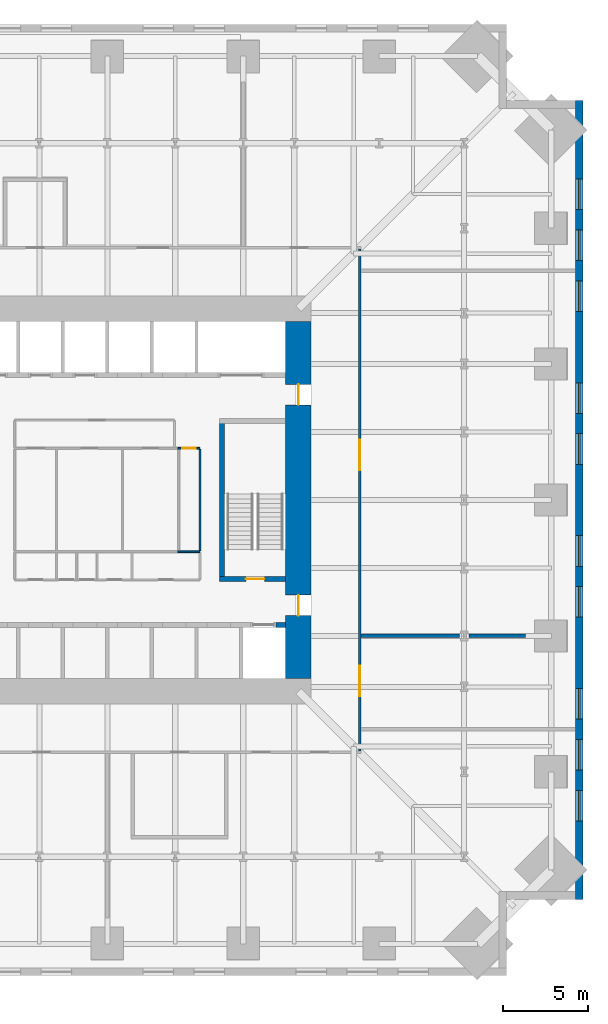
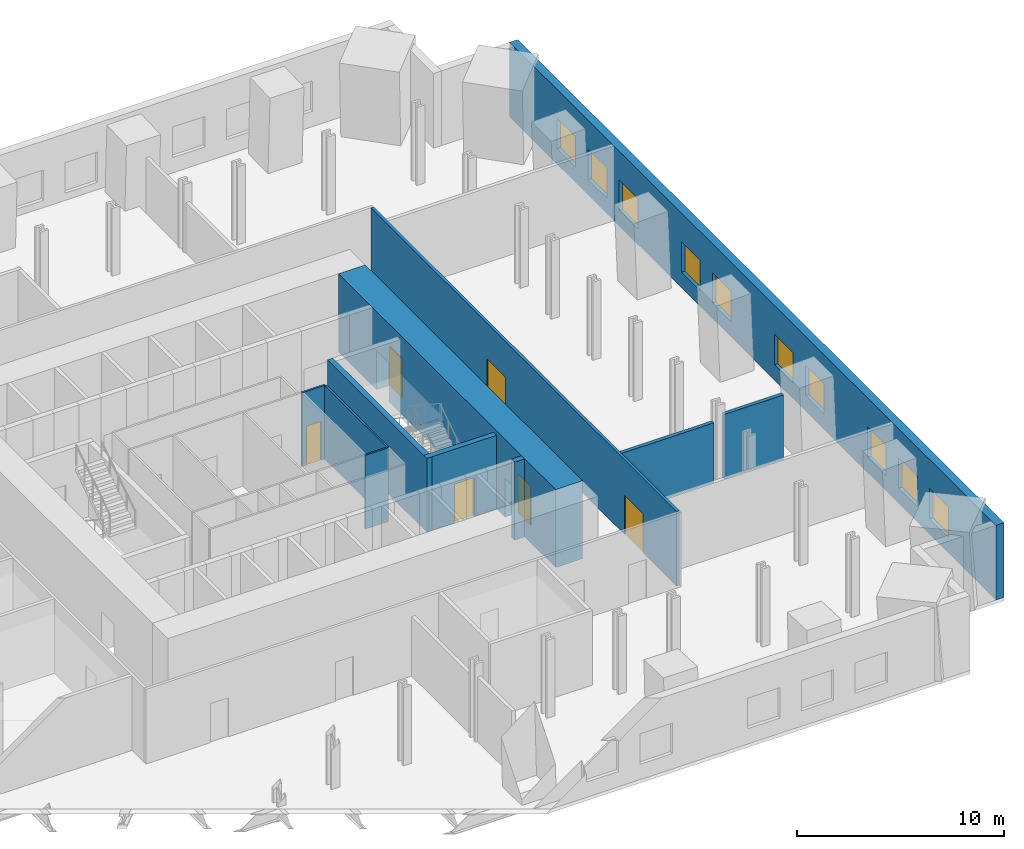
# One storey, part 5 of 8: 11 walls, 10 windows, 6 doors, 16 openings.
"""IFC4 building model written with IfcOpenShell, lengths in metres."""

from ifc_helpers import new_model, si_unit, direction, frame, frame_2d, origin, place, context, subcontext, project, spatial, rectangle, extrude, material, layer, layer_set, type_object, element, fill, save


model = new_model("IFC4")

# Units and contexts
model_context = context("Model", 3, precision=1e-05, world=origin(), true_north=direction((0.0, 1.0)))
body_context = subcontext(model_context, "Body", "Model", "MODEL_VIEW")
ifc_project = project(units=[si_unit("LENGTHUNIT", "METRE"), si_unit("AREAUNIT", "SQUARE_METRE"), si_unit("VOLUMEUNIT", "CUBIC_METRE"), si_unit("PLANEANGLEUNIT", "RADIAN"), si_unit("MASSUNIT", "GRAM", prefix="KILO")], contexts=[model_context])

# Site, building, storey
site_placement = place(None, origin())
site = spatial("IfcSite", under=ifc_project, at=site_placement, CompositionType="ELEMENT")
building_placement = place(site_placement, origin())
building = spatial("IfcBuilding", under=site, at=building_placement, Name="Peilmerk Tower", CompositionType="ELEMENT")
storey_placement = place(building_placement, frame((0.0, 0.0, 118.199951171875)))
storey = spatial("IfcBuildingStorey", under=building, at=storey_placement, Name="L23", CompositionType="ELEMENT", Elevation=118.199951171875)

# Wall, openings, windows
ifc_material_1 = material(Name="Precast concrete C45/55, board-marked finish", Category="concrete")
ifc_layer_1 = layer(ifc_material_1, 0.449951171875)
ifc_layer_set_1 = layer_set([ifc_layer_1], Name="Precast concrete C45/55, board-marked finish")
wall_type_1 = type_object("IfcWallType", Name="EW1 450 precast concrete facade wall, board-marked", PredefinedType="SOLIDWALL", material=ifc_layer_set_1)
wall_1_placement = place(storey_placement, frame((27.77490234375, -23.5, 0.0), z_axis=(0.0, 0.0, 1.0), x_axis=(0.0, 1.0, 0.0)))
wall_1 = element("IfcWall", 1, at=wall_1_placement, inside=storey, type_object=wall_type_1, Name="Facade wall E L23", PredefinedType="SOLIDWALL", context=body_context, shape_type="SweptSolid", body=[
    extrude(rectangle(XDim=47.0, YDim=0.449951171875, at=frame_2d((23.5, 0.0))), origin(), (0.0, 0.0, 1.0), 4.400146484375),
])
opening_1_placement = place(wall_1_placement, frame((4.60009765625, 0.0, 0.89990234375)))
opening_1 = element("IfcOpeningElement", 2, at=opening_1_placement, cuts=wall_1, Name="Opening W3", PredefinedType="OPENING", context=body_context, shape_type="SweptSolid", body=[
    extrude(rectangle(XDim=1.800048828125, YDim=1.800048828125, at=frame_2d((0.89990234375, 0.89990234375))), frame((0.0, 0.23486328125, 0.0), z_axis=(0.0, -1.0, 0.0), x_axis=(1.0, 0.0, 0.0)), (0.0, 0.0, 1.0), 0.469970703125),
])
opening_2_placement = place(wall_1_placement, frame((7.60009765625, 0.0, 0.89990234375)))
opening_2 = element("IfcOpeningElement", 3, at=opening_2_placement, cuts=wall_1, Name="Opening W3", PredefinedType="OPENING", context=body_context, shape_type="SweptSolid", body=[
    extrude(rectangle(XDim=1.800048828125, YDim=1.800048828125, at=frame_2d((0.89990234375, 0.89990234375))), frame((0.0, 0.23486328125, 0.0), z_axis=(0.0, -1.0, 0.0), x_axis=(1.0, 0.0, 0.0)), (0.0, 0.0, 1.0), 0.469970703125),
])
opening_3_placement = place(wall_1_placement, frame((10.60009765625, 0.0, 0.89990234375)))
opening_3 = element("IfcOpeningElement", 4, at=opening_3_placement, cuts=wall_1, Name="Opening W3", PredefinedType="OPENING", context=body_context, shape_type="SweptSolid", body=[
    extrude(rectangle(XDim=1.800048828125, YDim=1.800048828125, at=frame_2d((0.89990234375, 0.89990234375))), frame((0.0, 0.23486328125, 0.0), z_axis=(0.0, -1.0, 0.0), x_axis=(1.0, 0.0, 0.0)), (0.0, 0.0, 1.0), 0.469970703125),
])
opening_4_placement = place(wall_1_placement, frame((16.60009765625, 0.0, 0.89990234375)))
opening_4 = element("IfcOpeningElement", 5, at=opening_4_placement, cuts=wall_1, Name="Opening W3", PredefinedType="OPENING", context=body_context, shape_type="SweptSolid", body=[
    extrude(rectangle(XDim=1.800048828125, YDim=1.800048828125, at=frame_2d((0.89990234375, 0.89990234375))), frame((0.0, 0.23486328125, 0.0), z_axis=(0.0, -1.0, 0.0), x_axis=(1.0, 0.0, 0.0)), (0.0, 0.0, 1.0), 0.469970703125),
])
opening_5_placement = place(wall_1_placement, frame((19.60009765625, 0.0, 0.89990234375)))
opening_5 = element("IfcOpeningElement", 6, at=opening_5_placement, cuts=wall_1, Name="Opening W3", PredefinedType="OPENING", context=body_context, shape_type="SweptSolid", body=[
    extrude(rectangle(XDim=1.800048828125, YDim=1.800048828125, at=frame_2d((0.89990234375, 0.89990234375))), frame((0.0, 0.23486328125, 0.0), z_axis=(0.0, -1.0, 0.0), x_axis=(1.0, 0.0, 0.0)), (0.0, 0.0, 1.0), 0.469970703125),
])
opening_6_placement = place(wall_1_placement, frame((25.60009765625, 0.0, 0.89990234375)))
opening_6 = element("IfcOpeningElement", 7, at=opening_6_placement, cuts=wall_1, Name="Opening W3", PredefinedType="OPENING", context=body_context, shape_type="SweptSolid", body=[
    extrude(rectangle(XDim=1.800048828125, YDim=1.800048828125, at=frame_2d((0.89990234375, 0.89990234375))), frame((0.0, 0.23486328125, 0.0), z_axis=(0.0, -1.0, 0.0), x_axis=(1.0, 0.0, 0.0)), (0.0, 0.0, 1.0), 0.469970703125),
])
opening_7_placement = place(wall_1_placement, frame((28.60009765625, 0.0, 0.89990234375)))
opening_7 = element("IfcOpeningElement", 8, at=opening_7_placement, cuts=wall_1, Name="Opening W3", PredefinedType="OPENING", context=body_context, shape_type="SweptSolid", body=[
    extrude(rectangle(XDim=1.800048828125, YDim=1.800048828125, at=frame_2d((0.89990234375, 0.89990234375))), frame((0.0, 0.23486328125, 0.0), z_axis=(0.0, -1.0, 0.0), x_axis=(1.0, 0.0, 0.0)), (0.0, 0.0, 1.0), 0.469970703125),
])
opening_8_placement = place(wall_1_placement, frame((34.60009765625, 0.0, 0.89990234375)))
opening_8 = element("IfcOpeningElement", 9, at=opening_8_placement, cuts=wall_1, Name="Opening W3", PredefinedType="OPENING", context=body_context, shape_type="SweptSolid", body=[
    extrude(rectangle(XDim=1.800048828125, YDim=1.800048828125, at=frame_2d((0.89990234375, 0.89990234375))), frame((0.0, 0.23486328125, 0.0), z_axis=(0.0, -1.0, 0.0), x_axis=(1.0, 0.0, 0.0)), (0.0, 0.0, 1.0), 0.469970703125),
])
opening_9_placement = place(wall_1_placement, frame((37.60009765625, 0.0, 0.89990234375)))
opening_9 = element("IfcOpeningElement", 10, at=opening_9_placement, cuts=wall_1, Name="Opening W3", PredefinedType="OPENING", context=body_context, shape_type="SweptSolid", body=[
    extrude(rectangle(XDim=1.800048828125, YDim=1.800048828125, at=frame_2d((0.89990234375, 0.89990234375))), frame((0.0, 0.23486328125, 0.0), z_axis=(0.0, -1.0, 0.0), x_axis=(1.0, 0.0, 0.0)), (0.0, 0.0, 1.0), 0.469970703125),
])
opening_10_placement = place(wall_1_placement, frame((40.60009765625, 0.0, 0.89990234375)))
opening_10 = element("IfcOpeningElement", 11, at=opening_10_placement, cuts=wall_1, Name="Opening W3", PredefinedType="OPENING", context=body_context, shape_type="SweptSolid", body=[
    extrude(rectangle(XDim=1.800048828125, YDim=1.800048828125, at=frame_2d((0.89990234375, 0.89990234375))), frame((0.0, 0.23486328125, 0.0), z_axis=(0.0, -1.0, 0.0), x_axis=(1.0, 0.0, 0.0)), (0.0, 0.0, 1.0), 0.469970703125),
])
ifc_material_2 = material(Name="Aluminium frame, clear double glazing", Category="aluminium")
window_type = type_object("IfcWindowType", Name="W3 1800x1800 telecom floor window", PartitioningType="SINGLE_PANEL", PredefinedType="WINDOW", material=ifc_material_2)
window_1_placement = place(opening_1_placement, origin())
window_1 = element("IfcWindow", 12, at=window_1_placement, inside=storey, type_object=window_type, Name="Window W3 L23", OverallHeight=1.800048828125, OverallWidth=1.800048828125, PartitioningType="SINGLE_PANEL", PredefinedType="WINDOW", context=body_context, shape_type="SweptSolid", body=[
    extrude(rectangle(XDim=1.800048828125, YDim=1.800048828125, at=frame_2d((0.89990234375, 0.89990234375))), frame((0.0, 0.030029296875, 0.0), z_axis=(0.0, -1.0, 0.0), x_axis=(1.0, 0.0, 0.0)), (0.0, 0.0, 1.0), 0.06005859375),
])
fill(opening_1, window_1)
window_2_placement = place(opening_2_placement, origin())
window_2 = element("IfcWindow", 13, at=window_2_placement, inside=storey, type_object=window_type, Name="Window W3 L23", OverallHeight=1.800048828125, OverallWidth=1.800048828125, PartitioningType="SINGLE_PANEL", PredefinedType="WINDOW", context=body_context, shape_type="SweptSolid", body=[
    extrude(rectangle(XDim=1.800048828125, YDim=1.800048828125, at=frame_2d((0.89990234375, 0.89990234375))), frame((0.0, 0.030029296875, 0.0), z_axis=(0.0, -1.0, 0.0), x_axis=(1.0, 0.0, 0.0)), (0.0, 0.0, 1.0), 0.06005859375),
])
fill(opening_2, window_2)
window_3_placement = place(opening_3_placement, origin())
window_3 = element("IfcWindow", 14, at=window_3_placement, inside=storey, type_object=window_type, Name="Window W3 L23", OverallHeight=1.800048828125, OverallWidth=1.800048828125, PartitioningType="SINGLE_PANEL", PredefinedType="WINDOW", context=body_context, shape_type="SweptSolid", body=[
    extrude(rectangle(XDim=1.800048828125, YDim=1.800048828125, at=frame_2d((0.89990234375, 0.89990234375))), frame((0.0, 0.030029296875, 0.0), z_axis=(0.0, -1.0, 0.0), x_axis=(1.0, 0.0, 0.0)), (0.0, 0.0, 1.0), 0.06005859375),
])
fill(opening_3, window_3)
window_4_placement = place(opening_4_placement, origin())
window_4 = element("IfcWindow", 15, at=window_4_placement, inside=storey, type_object=window_type, Name="Window W3 L23", OverallHeight=1.800048828125, OverallWidth=1.800048828125, PartitioningType="SINGLE_PANEL", PredefinedType="WINDOW", context=body_context, shape_type="SweptSolid", body=[
    extrude(rectangle(XDim=1.800048828125, YDim=1.800048828125, at=frame_2d((0.89990234375, 0.89990234375))), frame((0.0, 0.030029296875, 0.0), z_axis=(0.0, -1.0, 0.0), x_axis=(1.0, 0.0, 0.0)), (0.0, 0.0, 1.0), 0.06005859375),
])
fill(opening_4, window_4)
window_5_placement = place(opening_5_placement, origin())
window_5 = element("IfcWindow", 16, at=window_5_placement, inside=storey, type_object=window_type, Name="Window W3 L23", OverallHeight=1.800048828125, OverallWidth=1.800048828125, PartitioningType="SINGLE_PANEL", PredefinedType="WINDOW", context=body_context, shape_type="SweptSolid", body=[
    extrude(rectangle(XDim=1.800048828125, YDim=1.800048828125, at=frame_2d((0.89990234375, 0.89990234375))), frame((0.0, 0.030029296875, 0.0), z_axis=(0.0, -1.0, 0.0), x_axis=(1.0, 0.0, 0.0)), (0.0, 0.0, 1.0), 0.06005859375),
])
fill(opening_5, window_5)
window_6_placement = place(opening_6_placement, origin())
window_6 = element("IfcWindow", 17, at=window_6_placement, inside=storey, type_object=window_type, Name="Window W3 L23", OverallHeight=1.800048828125, OverallWidth=1.800048828125, PartitioningType="SINGLE_PANEL", PredefinedType="WINDOW", context=body_context, shape_type="SweptSolid", body=[
    extrude(rectangle(XDim=1.800048828125, YDim=1.800048828125, at=frame_2d((0.89990234375, 0.89990234375))), frame((0.0, 0.030029296875, 0.0), z_axis=(0.0, -1.0, 0.0), x_axis=(1.0, 0.0, 0.0)), (0.0, 0.0, 1.0), 0.06005859375),
])
fill(opening_6, window_6)
window_7_placement = place(opening_7_placement, origin())
window_7 = element("IfcWindow", 18, at=window_7_placement, inside=storey, type_object=window_type, Name="Window W3 L23", OverallHeight=1.800048828125, OverallWidth=1.800048828125, PartitioningType="SINGLE_PANEL", PredefinedType="WINDOW", context=body_context, shape_type="SweptSolid", body=[
    extrude(rectangle(XDim=1.800048828125, YDim=1.800048828125, at=frame_2d((0.89990234375, 0.89990234375))), frame((0.0, 0.030029296875, 0.0), z_axis=(0.0, -1.0, 0.0), x_axis=(1.0, 0.0, 0.0)), (0.0, 0.0, 1.0), 0.06005859375),
])
fill(opening_7, window_7)
window_8_placement = place(opening_8_placement, origin())
window_8 = element("IfcWindow", 19, at=window_8_placement, inside=storey, type_object=window_type, Name="Window W3 L23", OverallHeight=1.800048828125, OverallWidth=1.800048828125, PartitioningType="SINGLE_PANEL", PredefinedType="WINDOW", context=body_context, shape_type="SweptSolid", body=[
    extrude(rectangle(XDim=1.800048828125, YDim=1.800048828125, at=frame_2d((0.89990234375, 0.89990234375))), frame((0.0, 0.030029296875, 0.0), z_axis=(0.0, -1.0, 0.0), x_axis=(1.0, 0.0, 0.0)), (0.0, 0.0, 1.0), 0.06005859375),
])
fill(opening_8, window_8)
window_9_placement = place(opening_9_placement, origin())
window_9 = element("IfcWindow", 20, at=window_9_placement, inside=storey, type_object=window_type, Name="Window W3 L23", OverallHeight=1.800048828125, OverallWidth=1.800048828125, PartitioningType="SINGLE_PANEL", PredefinedType="WINDOW", context=body_context, shape_type="SweptSolid", body=[
    extrude(rectangle(XDim=1.800048828125, YDim=1.800048828125, at=frame_2d((0.89990234375, 0.89990234375))), frame((0.0, 0.030029296875, 0.0), z_axis=(0.0, -1.0, 0.0), x_axis=(1.0, 0.0, 0.0)), (0.0, 0.0, 1.0), 0.06005859375),
])
fill(opening_9, window_9)
window_10_placement = place(opening_10_placement, origin())
window_10 = element("IfcWindow", 21, at=window_10_placement, inside=storey, type_object=window_type, Name="Window W3 L23", OverallHeight=1.800048828125, OverallWidth=1.800048828125, PartitioningType="SINGLE_PANEL", PredefinedType="WINDOW", context=body_context, shape_type="SweptSolid", body=[
    extrude(rectangle(XDim=1.800048828125, YDim=1.800048828125, at=frame_2d((0.89990234375, 0.89990234375))), frame((0.0, 0.030029296875, 0.0), z_axis=(0.0, -1.0, 0.0), x_axis=(1.0, 0.0, 0.0)), (0.0, 0.0, 1.0), 0.06005859375),
])
fill(opening_10, window_10)

# Wall, openings, doors
ifc_material_3 = material(Name="Calcium silicate block", Category="masonry")
ifc_layer_2 = layer(ifc_material_3, 0.14990234375)
ifc_layer_set_2 = layer_set([ifc_layer_2], Name="Calcium silicate block")
wall_type_2 = type_object("IfcWallType", Name="IW1 150 corridor partition, EI 60", PredefinedType="PARTITIONING", material=ifc_layer_set_2)
wall_2_placement = place(storey_placement, frame((14.85009765625, -14.77490234375, 0.0), z_axis=(0.0, 0.0, 1.0), x_axis=(0.0, 1.0, 0.0)))
wall_2 = element("IfcWall", 22, at=wall_2_placement, inside=storey, type_object=wall_type_2, Name="Corridor wall E L23", PredefinedType="PARTITIONING", context=body_context, shape_type="SweptSolid", body=[
    extrude(rectangle(XDim=29.5498046875, YDim=0.14990234375, at=frame_2d((14.77490234375, 0.0))), origin(), (0.0, 0.0, 1.0), 4.400146484375),
])
opening_11_placement = place(wall_2_placement, frame((3.22509765625, 0.0, 0.0)))
opening_11 = element("IfcOpeningElement", 23, at=opening_11_placement, cuts=wall_2, Name="Opening D2", PredefinedType="OPENING", context=body_context, shape_type="SweptSolid", body=[
    extrude(rectangle(XDim=1.800048828125, YDim=2.300048828125, at=frame_2d((0.89990234375, 1.14990234375))), frame((0.0, 0.0849609375, 0.0), z_axis=(0.0, -1.0, 0.0), x_axis=(1.0, 0.0, 0.0)), (0.0, 0.0, 1.0), 0.169921875),
])
opening_12_placement = place(wall_2_placement, frame((16.52490234375, 0.0, 0.0)))
opening_12 = element("IfcOpeningElement", 24, at=opening_12_placement, cuts=wall_2, Name="Opening D2", PredefinedType="OPENING", context=body_context, shape_type="SweptSolid", body=[
    extrude(rectangle(XDim=1.800048828125, YDim=2.300048828125, at=frame_2d((0.89990234375, 1.14990234375))), frame((0.0, 0.0849609375, 0.0), z_axis=(0.0, -1.0, 0.0), x_axis=(1.0, 0.0, 0.0)), (0.0, 0.0, 1.0), 0.169921875),
])
ifc_material_4 = material(Name="Steel door in steel frame", Category="steel")
door_type_1 = type_object("IfcDoorType", Name="D2 1800x2300 double door, EI2 60", OperationType="DOUBLE_DOOR_DOUBLE_SWING", PredefinedType="DOOR", material=ifc_material_4)
door_1_placement = place(opening_11_placement, frame((1.800048828125, 0.0, 0.0), z_axis=(0.0, 0.0, 1.0), x_axis=(-1.0, 0.0, 0.0)))
door_1 = element("IfcDoor", 25, at=door_1_placement, inside=storey, type_object=door_type_1, Name="Door Rectifier room L23", OperationType="DOUBLE_DOOR_DOUBLE_SWING", OverallHeight=2.300048828125, OverallWidth=1.800048828125, PredefinedType="DOOR", context=body_context, shape_type="SweptSolid", body=[
    extrude(rectangle(XDim=1.800048828125, YDim=2.300048828125, at=frame_2d((0.89990234375, 1.14990234375))), frame((0.0, 0.02490234375, 0.0), z_axis=(0.0, -1.0, 0.0), x_axis=(1.0, 0.0, 0.0)), (0.0, 0.0, 1.0), 0.050048828125),
])
fill(opening_11, door_1)
door_2_placement = place(opening_12_placement, frame((1.800048828125, 0.0, 0.0), z_axis=(0.0, 0.0, 1.0), x_axis=(-1.0, 0.0, 0.0)))
door_2 = element("IfcDoor", 26, at=door_2_placement, inside=storey, type_object=door_type_1, Name="Door Battery room L23", OperationType="DOUBLE_DOOR_DOUBLE_SWING", OverallHeight=2.300048828125, OverallWidth=1.800048828125, PredefinedType="DOOR", context=body_context, shape_type="SweptSolid", body=[
    extrude(rectangle(XDim=1.800048828125, YDim=2.300048828125, at=frame_2d((0.89990234375, 1.14990234375))), frame((0.0, 0.02490234375, 0.0), z_axis=(0.0, -1.0, 0.0), x_axis=(1.0, 0.0, 0.0)), (0.0, 0.0, 1.0), 0.050048828125),
])
fill(opening_12, door_2)

# Walls
ifc_layer_3 = layer(ifc_material_3, 0.199951171875)
ifc_layer_set_3 = layer_set([ifc_layer_3], Name="Calcium silicate block")
wall_type_3 = type_object("IfcWallType", Name="IW2 200 room separating wall, EI 120", PredefinedType="PARTITIONING", material=ifc_layer_set_3)
wall_3_placement = place(storey_placement, frame((14.925048828125, -8.0, 0.0), z_axis=(0.0, 0.0, 1.0), x_axis=(1.0, 0.0, 0.0)))
element("IfcWall", 27, at=wall_3_placement, inside=storey, type_object=wall_type_3, Name="Room separating wall E1 L23", PredefinedType="PARTITIONING", context=body_context, shape_type="SweptSolid", body=[
    extrude(rectangle(XDim=5.79052734375, YDim=0.199951171875, at=frame_2d((2.895263671875, 0.0))), origin(), (0.0, 0.0, 1.0), 3.510009765625),
])
wall_4_placement = place(storey_placement, frame((21.284423828125, -8.0, 0.0), z_axis=(0.0, 0.0, 1.0), x_axis=(1.0, 0.0, 0.0)))
element("IfcWall", 28, at=wall_4_placement, inside=storey, type_object=wall_type_3, Name="Room separating wall E1b L23", PredefinedType="PARTITIONING", context=body_context, shape_type="SweptSolid", body=[
    extrude(rectangle(XDim=3.317138671875, YDim=0.199951171875, at=frame_2d((1.65869140625, 0.0))), origin(), (0.0, 0.0, 1.0), 3.800048828125),
])
ifc_material_5 = material(Name="Concrete C35/45", Category="concrete")
ifc_layer_4 = layer(ifc_material_5, 0.300048828125)
ifc_layer_set_4 = layer_set([ifc_layer_4], Name="Concrete C35/45")
wall_type_4 = type_object("IfcWallType", Name="IW3 300 concrete stair enclosure wall, EI 120", PredefinedType="SOLIDWALL", material=ifc_layer_set_4)
wall_5_placement = place(storey_placement, frame((6.75, -4.800048828125, 0.0), z_axis=(0.0, 0.0, 1.0), x_axis=(0.0, 1.0, 0.0)))
element("IfcWall", 29, at=wall_5_placement, inside=storey, type_object=wall_type_4, Name="Stair 2 enclosure L23", PredefinedType="SOLIDWALL", context=body_context, shape_type="SweptSolid", body=[
    extrude(rectangle(XDim=9.60009765625, YDim=0.300048828125, at=frame_2d((4.800048828125, 0.0))), origin(), (0.0, 0.0, 1.0), 4.35009765625),
])

# Wall, opening, door
wall_6_placement = place(storey_placement, frame((10.5, -4.64990234375, 0.0), z_axis=(0.0, 0.0, 1.0), x_axis=(-1.0, 0.0, 0.0)))
wall_6 = element("IfcWall", 30, at=wall_6_placement, inside=storey, type_object=wall_type_4, Name="Stair 2 enclosure L23", PredefinedType="SOLIDWALL", context=body_context, shape_type="SweptSolid", body=[
    extrude(rectangle(XDim=3.89990234375, YDim=0.300048828125, at=frame_2d((1.949951171875, 0.0))), origin(), (0.0, 0.0, 1.0), 4.35009765625),
])
opening_13_placement = place(wall_6_placement, frame((1.25, 0.0, 0.0)))
opening_13 = element("IfcOpeningElement", 31, at=opening_13_placement, cuts=wall_6, Name="Opening D4", PredefinedType="OPENING", context=body_context, shape_type="SweptSolid", body=[
    extrude(rectangle(XDim=1.10009765625, YDim=2.300048828125, at=frame_2d((0.550048828125, 1.14990234375))), frame((0.0, 0.159912109375, 0.0), z_axis=(0.0, -1.0, 0.0), x_axis=(1.0, 0.0, 0.0)), (0.0, 0.0, 1.0), 0.320068359375),
])
door_type_2 = type_object("IfcDoorType", Name="D4 1100x2300 stair door, EI2 60", OperationType="SINGLE_SWING_RIGHT", PredefinedType="DOOR", material=ifc_material_4)
door_3_placement = place(opening_13_placement, frame((1.10009765625, 0.0, 0.0), z_axis=(0.0, 0.0, 1.0), x_axis=(-1.0, 0.0, 0.0)))
door_3 = element("IfcDoor", 32, at=door_3_placement, inside=storey, type_object=door_type_2, Name="Stair 2 door L23", OperationType="SINGLE_SWING_RIGHT", OverallHeight=2.300048828125, OverallWidth=1.10009765625, PredefinedType="DOOR", context=body_context, shape_type="SweptSolid", body=[
    extrude(rectangle(XDim=1.10009765625, YDim=2.300048828125, at=frame_2d((0.550048828125, 1.14990234375))), frame((0.0, 0.02490234375, 0.0), z_axis=(0.0, -1.0, 0.0), x_axis=(1.0, 0.0, 0.0)), (0.0, 0.0, 1.0), 0.050048828125),
])
fill(opening_13, door_3)

ifc_material_6 = material(Name="Calcium silicate board on steel studs", Category="steel")
ifc_layer_5 = layer(ifc_material_6, 0.10009765625)
ifc_layer_set_5 = layer_set([ifc_layer_5], Name="Calcium silicate board on steel studs")
wall_type_5 = type_object("IfcWallType", Name="IW5 100 riser enclosure wall, EI 60", PredefinedType="PARTITIONING", material=ifc_layer_set_5)
wall_7_placement = place(storey_placement, frame((4.14990234375, 3.050048828125, 0.0), z_axis=(0.0, 0.0, 1.0), x_axis=(1.0, 0.0, 0.0)))
wall_7 = element("IfcWall", 33, at=wall_7_placement, inside=storey, type_object=wall_type_5, Name="Riser wall L23", PredefinedType="PARTITIONING", context=body_context, shape_type="SweptSolid", body=[
    extrude(rectangle(XDim=1.300048828125, YDim=0.10009765625, at=frame_2d((0.64990234375, 0.0))), origin(), (0.0, 0.0, 1.0), 4.35009765625),
])
opening_14_placement = place(wall_7_placement, frame((0.25, 0.0, 0.0)))
opening_14 = element("IfcOpeningElement", 34, at=opening_14_placement, cuts=wall_7, Name="Opening D7", PredefinedType="OPENING", context=body_context, shape_type="SweptSolid", body=[
    extrude(rectangle(XDim=0.800048828125, YDim=2.300048828125, at=frame_2d((0.39990234375, 1.14990234375))), frame((0.0, 0.06005859375, 0.0), z_axis=(0.0, -1.0, 0.0), x_axis=(1.0, 0.0, 0.0)), (0.0, 0.0, 1.0), 0.1201171875),
])
door_type_3 = type_object("IfcDoorType", Name="D7 800x2300 riser access door, EI2 60", OperationType="SINGLE_SWING_RIGHT", PredefinedType="DOOR", material=ifc_material_4)
door_4_placement = place(opening_14_placement, frame((0.800048828125, 0.0, 0.0), z_axis=(0.0, 0.0, 1.0), x_axis=(-1.0, 0.0, 0.0)))
door_4 = element("IfcDoor", 35, at=door_4_placement, inside=storey, type_object=door_type_3, Name="Plumbing riser door L23", OperationType="SINGLE_SWING_RIGHT", OverallHeight=2.300048828125, OverallWidth=0.800048828125, PredefinedType="DOOR", context=body_context, shape_type="SweptSolid", body=[
    extrude(rectangle(XDim=0.800048828125, YDim=2.300048828125, at=frame_2d((0.39990234375, 1.14990234375))), frame((0.0, 0.02490234375, 0.0), z_axis=(0.0, -1.0, 0.0), x_axis=(1.0, 0.0, 0.0)), (0.0, 0.0, 1.0), 0.050048828125),
])
fill(opening_14, door_4)

# Walls
wall_8_placement = place(storey_placement, frame((5.449951171875, -3.050048828125, 0.0), z_axis=(0.0, 0.0, 1.0), x_axis=(-1.0, 0.0, 0.0)))
element("IfcWall", 36, at=wall_8_placement, inside=storey, type_object=wall_type_5, Name="Riser wall L23", PredefinedType="PARTITIONING", context=body_context, shape_type="SweptSolid", body=[
    extrude(rectangle(XDim=1.300048828125, YDim=0.10009765625, at=frame_2d((0.64990234375, 0.0))), origin(), (0.0, 0.0, 1.0), 4.35009765625),
])
wall_9_placement = place(storey_placement, frame((5.449951171875, 3.0, 0.0), z_axis=(0.0, 0.0, 1.0), x_axis=(0.0, -1.0, 0.0)))
element("IfcWall", 37, at=wall_9_placement, inside=storey, type_object=wall_type_5, Name="Riser wall L23", PredefinedType="PARTITIONING", context=body_context, shape_type="SweptSolid", body=[
    extrude(rectangle(XDim=6.0, YDim=0.10009765625, at=frame_2d((3.0, 0.0))), origin(), (0.0, 0.0, 1.0), 4.35009765625),
])

# Wall, openings, doors
ifc_material_7 = material(Name="Concrete C55/67", Category="concrete")
ifc_layer_6 = layer(ifc_material_7, 1.5)
ifc_layer_set_6 = layer_set([ifc_layer_6], Name="Concrete C55/67")
wall_type_6 = type_object("IfcWallType", Name="SW1 1500 core wall", PredefinedType="SHEAR", material=ifc_layer_set_6)
wall_10_placement = place(storey_placement, frame((11.25, 10.5, 0.0), z_axis=(0.0, 0.0, 1.0), x_axis=(0.0, -1.0, 0.0)))
wall_10 = element("IfcWall", 38, at=wall_10_placement, inside=storey, type_object=wall_type_6, Name="Core wall E L23", PredefinedType="SHEAR", context=body_context, shape_type="SweptSolid", body=[
    extrude(rectangle(XDim=21.0, YDim=1.5, at=frame_2d((10.5, 0.0))), origin(), (0.0, 0.0, 1.0), 4.60009765625),
])
opening_15_placement = place(wall_10_placement, frame((3.699951171875, 0.0, 0.0)))
opening_15 = element("IfcOpeningElement", 39, at=opening_15_placement, cuts=wall_10, Name="Opening D3", PredefinedType="OPENING", context=body_context, shape_type="SweptSolid", body=[
    extrude(rectangle(XDim=1.199951171875, YDim=2.300048828125, at=frame_2d((0.60009765625, 1.14990234375))), frame((0.0, 0.760009765625, 0.0), z_axis=(0.0, -1.0, 0.0), x_axis=(1.0, 0.0, 0.0)), (0.0, 0.0, 1.0), 1.52001953125),
])
opening_16_placement = place(wall_10_placement, frame((16.10009765625, 0.0, 0.0)))
opening_16 = element("IfcOpeningElement", 40, at=opening_16_placement, cuts=wall_10, Name="Opening D3", PredefinedType="OPENING", context=body_context, shape_type="SweptSolid", body=[
    extrude(rectangle(XDim=1.199951171875, YDim=2.300048828125, at=frame_2d((0.60009765625, 1.14990234375))), frame((0.0, 0.760009765625, 0.0), z_axis=(0.0, -1.0, 0.0), x_axis=(1.0, 0.0, 0.0)), (0.0, 0.0, 1.0), 1.52001953125),
])
door_type_4 = type_object("IfcDoorType", Name="D3 1200x2300 core door, EI2 60", OperationType="SINGLE_SWING_LEFT", PredefinedType="DOOR", material=ifc_material_4)
door_5_placement = place(opening_15_placement, frame((1.199951171875, 0.0, 0.0), z_axis=(0.0, 0.0, 1.0), x_axis=(-1.0, 0.0, 0.0)))
door_5 = element("IfcDoor", 41, at=door_5_placement, inside=storey, type_object=door_type_4, Name="Core door L23", OperationType="SINGLE_SWING_LEFT", OverallHeight=2.300048828125, OverallWidth=1.199951171875, PredefinedType="DOOR", context=body_context, shape_type="SweptSolid", body=[
    extrude(rectangle(XDim=1.199951171875, YDim=2.300048828125, at=frame_2d((0.60009765625, 1.14990234375))), frame((0.0, 0.02490234375, 0.0), z_axis=(0.0, -1.0, 0.0), x_axis=(1.0, 0.0, 0.0)), (0.0, 0.0, 1.0), 0.050048828125),
])
fill(opening_15, door_5)
door_6_placement = place(opening_16_placement, frame((1.199951171875, 0.0, 0.0), z_axis=(0.0, 0.0, 1.0), x_axis=(-1.0, 0.0, 0.0)))
door_6 = element("IfcDoor", 42, at=door_6_placement, inside=storey, type_object=door_type_4, Name="Core door L23", OperationType="SINGLE_SWING_LEFT", OverallHeight=2.300048828125, OverallWidth=1.199951171875, PredefinedType="DOOR", context=body_context, shape_type="SweptSolid", body=[
    extrude(rectangle(XDim=1.199951171875, YDim=2.300048828125, at=frame_2d((0.60009765625, 1.14990234375))), frame((0.0, 0.02490234375, 0.0), z_axis=(0.0, -1.0, 0.0), x_axis=(1.0, 0.0, 0.0)), (0.0, 0.0, 1.0), 0.050048828125),
])
fill(opening_16, door_6)

# Wall
ifc_layer_7 = layer(ifc_material_7, 0.300048828125)
ifc_layer_set_7 = layer_set([ifc_layer_7], Name="Concrete C55/67")
wall_type_7 = type_object("IfcWallType", Name="SW2 300 lift bank pier", PredefinedType="SHEAR", material=ifc_layer_set_7)
wall_11_placement = place(storey_placement, frame((9.9375, -7.35009765625, 0.0), z_axis=(0.0, 0.0, 1.0), x_axis=(1.0, 0.0, 0.0)))
element("IfcWall", 43, at=wall_11_placement, inside=storey, type_object=wall_type_7, Name="Lift bank pier S L23", PredefinedType="SHEAR", context=body_context, shape_type="SweptSolid", body=[
    extrude(rectangle(XDim=0.5625, YDim=0.300048828125, at=frame_2d((0.28125, 0.0))), origin(), (0.0, 0.0, 1.0), 4.60009765625),
])

save(model, "model.ifc")
